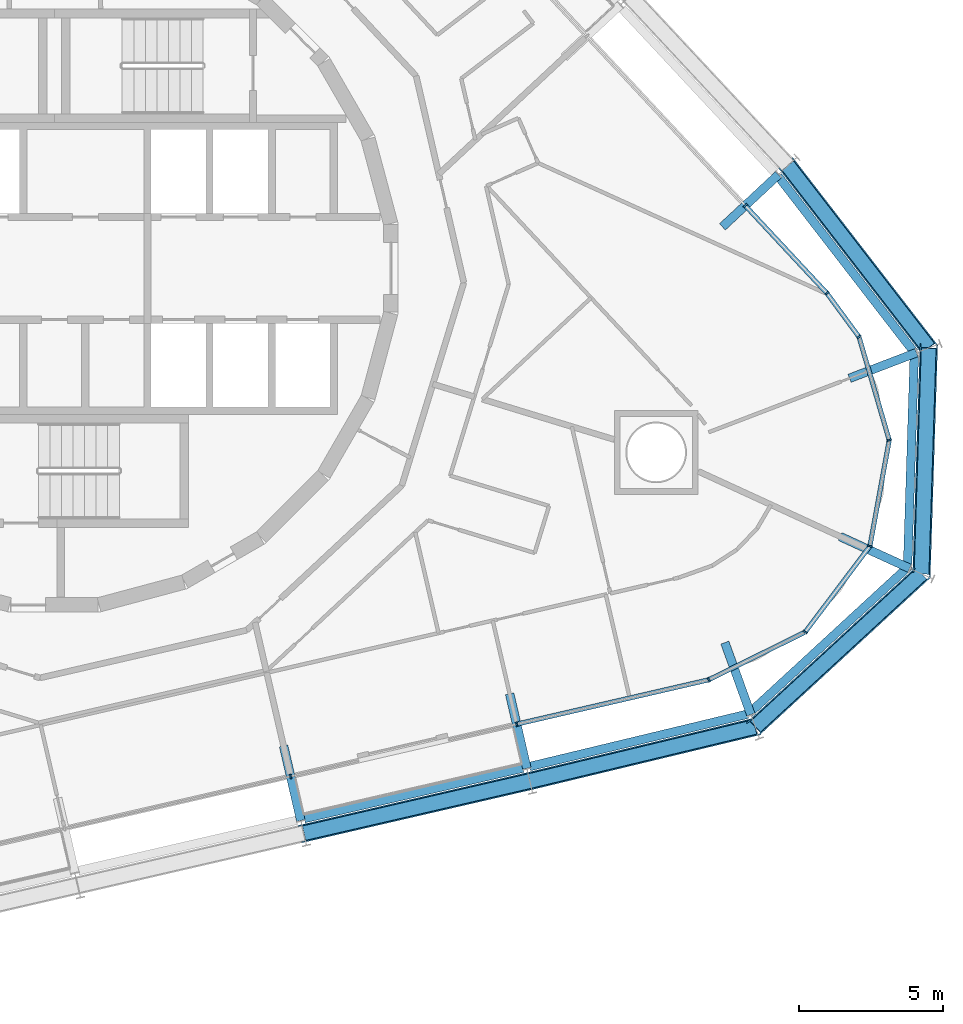
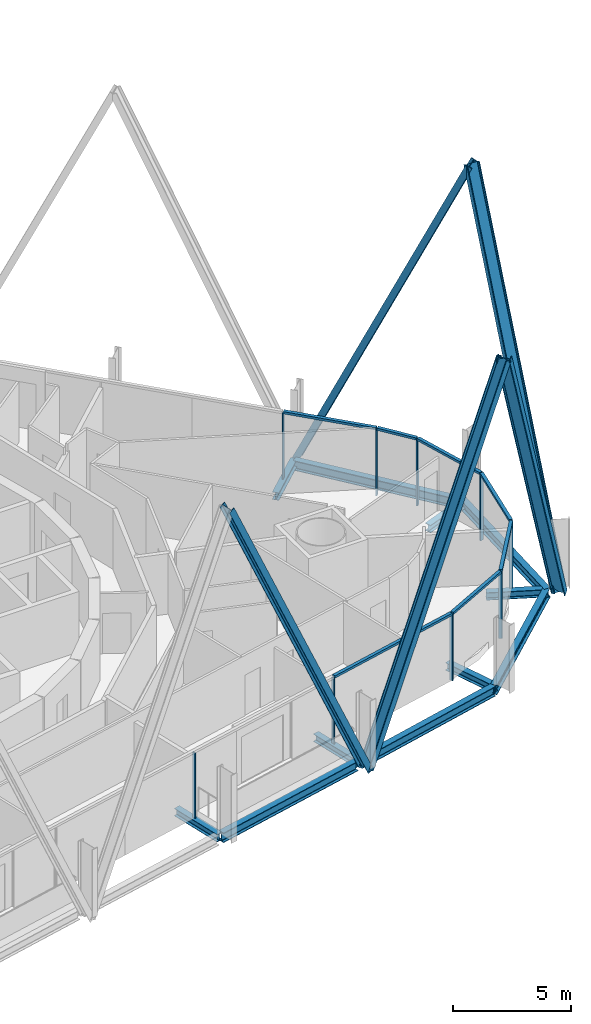
# One storey, part 6 of 18: 21 members, 11 beams, 3 elements without a shape of their own.
"""IFC4 building model written with IfcOpenShell, lengths in metres."""

from ifc_helpers import new_model, si_unit, direction, frame, origin, origin_2d, place, context, subcontext, project, spatial, rectangle, i_section, extrude, material, layer, layer_set, material_profile, profile_set, type_object, element, aggregate, save


model = new_model("IFC4")

# Units and contexts
model_context = context("Model", 3, precision=1e-05, world=origin(), true_north=direction((0.0, 1.0)))
body_context = subcontext(model_context, "Body", "Model", "MODEL_VIEW")
ifc_project = project(units=[si_unit("LENGTHUNIT", "METRE"), si_unit("AREAUNIT", "SQUARE_METRE"), si_unit("VOLUMEUNIT", "CUBIC_METRE"), si_unit("PLANEANGLEUNIT", "RADIAN"), si_unit("MASSUNIT", "GRAM", prefix="KILO")], contexts=[model_context])

# Site, building, storey
site_placement = place(None, origin())
site = spatial("IfcSite", under=ifc_project, at=site_placement, CompositionType="ELEMENT")
building_placement = place(site_placement, origin())
building = spatial("IfcBuilding", under=site, at=building_placement, Name="Spindle Arch Residences", CompositionType="ELEMENT")
storey_placement = place(building_placement, frame((0.0, 0.0, 127.39990234375)))
storey = spatial("IfcBuildingStorey", under=building, at=storey_placement, Name="L31", CompositionType="ELEMENT", Elevation=127.39990234375)

# Curtain wall, members
ifc_material_1 = material(Name="Aluminium bronze unitised frame with tinted glass", Category="aluminium")
ifc_layer_1 = layer(ifc_material_1, 0.159912109375)
ifc_layer_set_1 = layer_set([ifc_layer_1], Name="CW-D corner wall on the fillet arcs")
curtain_wall_type_1 = type_object("IfcCurtainWallType", Name="CW-D corner wall on the fillet arcs", PredefinedType="NOTDEFINED", material=ifc_layer_set_1)
curtain_wall_1_placement = place(storey_placement, origin())
curtain_wall_1 = element("IfcCurtainWall", 1, at=curtain_wall_1_placement, inside=storey, type_object=curtain_wall_type_1, Name="CW-D L31 run 1", PredefinedType="NOTDEFINED")
ifc_material_2 = material(Name="Aluminium bronze anodised mullion", Category="aluminium")
ifc_material_profile_1 = material_profile(ifc_material_2, rectangle(XDim=0.159912109375, YDim=0.06005859375, at=origin_2d()), Name="MU 60x160")
ifc_profile_set_1 = profile_set([ifc_material_profile_1], Name="Aluminium bronze anodised mullion")
member_type_1 = type_object("IfcMemberType", Name="Bronze mullion 60x160", PredefinedType="MULLION", material=ifc_profile_set_1)
member_1_placement = place(storey_placement, frame((16.002685546875, -15.775390625, -0.3798828125), z_axis=(0.0, 0.0, 1.0), x_axis=(-0.224951054344, 0.974370064785, 0.0)))
member_1 = element("IfcMember", 2, at=member_1_placement, type_object=member_type_1, Name="CW-D mullion 00", PredefinedType="MULLION", context=body_context, shape_type="SweptSolid", body=[
    extrude(rectangle(XDim=0.159912109375, YDim=0.06005859375, at=origin_2d()), origin(), (0.0, 0.0, 1.0), 3.3798828125),
])
member_2_placement = place(storey_placement, frame((22.647705078125, -14.2412109375, -0.3798828125), z_axis=(0.0, 0.0, 1.0), x_axis=(-0.443592675931, 0.896228507614, 0.0)))
member_2 = element("IfcMember", 3, at=member_2_placement, type_object=member_type_1, Name="CW-D mullion 01", PredefinedType="MULLION", context=body_context, shape_type="SweptSolid", body=[
    extrude(rectangle(XDim=0.159912109375, YDim=0.06005859375, at=origin_2d()), origin(), (0.0, 0.0, 1.0), 3.3798828125),
])
member_3_placement = place(storey_placement, frame((25.987548828125, -12.588134765625, -0.3798828125), z_axis=(0.0, 0.0, 1.0), x_axis=(-0.798635511056, 0.601815021814, 0.0)))
member_3 = element("IfcMember", 4, at=member_3_placement, type_object=member_type_1, Name="CW-D mullion 02", PredefinedType="MULLION", context=body_context, shape_type="SweptSolid", body=[
    extrude(rectangle(XDim=0.159912109375, YDim=0.06005859375, at=origin_2d()), origin(), (0.0, 0.0, 1.0), 3.3798828125),
])
member_4_placement = place(storey_placement, frame((28.23046875, -9.61181640625, -0.3798828125), z_axis=(0.0, 0.0, 1.0), x_axis=(-0.983780848179, 0.17937458782, 0.0)))
member_4 = element("IfcMember", 5, at=member_4_placement, type_object=member_type_1, Name="CW-D mullion 03", PredefinedType="MULLION", context=body_context, shape_type="SweptSolid", body=[
    extrude(rectangle(XDim=0.159912109375, YDim=0.06005859375, at=origin_2d()), origin(), (0.0, 0.0, 1.0), 3.3798828125),
])
member_5_placement = place(storey_placement, frame((28.89892578125, -5.945556640625, -0.3798828125), z_axis=(0.0, 0.0, 1.0), x_axis=(-0.959641844554, -0.281225052549, 0.0)))
member_5 = element("IfcMember", 6, at=member_5_placement, type_object=member_type_1, Name="CW-D mullion 04", PredefinedType="MULLION", context=body_context, shape_type="SweptSolid", body=[
    extrude(rectangle(XDim=0.159912109375, YDim=0.06005859375, at=origin_2d()), origin(), (0.0, 0.0, 1.0), 3.3798828125),
])
member_6_placement = place(storey_placement, frame((27.850830078125, -2.369140625, -0.3798828125), z_axis=(0.0, 0.0, 1.0), x_axis=(-0.805583724819, -0.592481951039, 0.0)))
member_6 = element("IfcMember", 7, at=member_6_placement, type_object=member_type_1, Name="CW-D mullion 05", PredefinedType="MULLION", context=body_context, shape_type="SweptSolid", body=[
    extrude(rectangle(XDim=0.159912109375, YDim=0.06005859375, at=origin_2d()), origin(), (0.0, 0.0, 1.0), 3.3798828125),
])
member_7_placement = place(storey_placement, frame((26.7392578125, -0.85791015625, -0.3798828125), z_axis=(0.0, 0.0, 1.0), x_axis=(-0.731353701619, -0.681998360062, 0.0)))
member_7 = element("IfcMember", 8, at=member_7_placement, type_object=member_type_1, Name="CW-D mullion 06", PredefinedType="MULLION", context=body_context, shape_type="SweptSolid", body=[
    extrude(rectangle(XDim=0.159912109375, YDim=0.06005859375, at=origin_2d()), origin(), (0.0, 0.0, 1.0), 3.3798828125),
])

# Curtain wall, member
ifc_material_3 = material(Name="Aluminium bronze unitised frame with tinted glass", Category="aluminium")
ifc_layer_2 = layer(ifc_material_3, 0.159912109375)
ifc_layer_set_2 = layer_set([ifc_layer_2], Name="CW-C typical residential unitised wall")
curtain_wall_type_2 = type_object("IfcCurtainWallType", Name="CW-C typical residential unitised wall", PredefinedType="NOTDEFINED", material=ifc_layer_set_2)
curtain_wall_2_placement = place(storey_placement, origin())
curtain_wall_2 = element("IfcCurtainWall", 9, at=curtain_wall_2_placement, inside=storey, type_object=curtain_wall_type_2, Name="CW-C L31 run 2", PredefinedType="NOTDEFINED")
member_8_placement = place(storey_placement, frame((23.91357421875, 2.172607421875, -0.3798828125), z_axis=(0.0, 0.0, 1.0), x_axis=(-0.731353701619, -0.681998360062, 0.0)))
member_8 = element("IfcMember", 10, at=member_8_placement, type_object=member_type_1, Name="CW-C mullion 05", PredefinedType="MULLION", context=body_context, shape_type="SweptSolid", body=[
    extrude(rectangle(XDim=0.159912109375, YDim=0.06005859375, at=origin_2d()), origin(), (0.0, 0.0, 1.0), 3.3798828125),
])
aggregate(curtain_wall_2, [member_8])

curtain_wall_3_placement = place(storey_placement, origin())
curtain_wall_3 = element("IfcCurtainWall", 11, at=curtain_wall_3_placement, inside=storey, type_object=curtain_wall_type_2, Name="CW-C L31 run 6", PredefinedType="NOTDEFINED")
member_9_placement = place(storey_placement, frame((8.17919921875, -17.58154296875, -0.3798828125), z_axis=(0.0, 0.0, 1.0), x_axis=(-0.224951054344, 0.974370064785, 0.0)))
member_9 = element("IfcMember", 12, at=member_9_placement, type_object=member_type_1, Name="CW-C mullion 00", PredefinedType="MULLION", context=body_context, shape_type="SweptSolid", body=[
    extrude(rectangle(XDim=0.159912109375, YDim=0.06005859375, at=origin_2d()), origin(), (0.0, 0.0, 1.0), 3.3798828125),
])
aggregate(curtain_wall_3, [member_9])

# Member
ifc_material_4 = material(Name="Aluminium bronze anodised transom", Category="aluminium")
ifc_material_profile_2 = material_profile(ifc_material_4, rectangle(XDim=0.159912109375, YDim=0.1201171875, at=origin_2d()), Name="TR 120x160")
ifc_profile_set_2 = profile_set([ifc_material_profile_2], Name="Aluminium bronze anodised transom")
member_type_2 = type_object("IfcMemberType", Name="Bronze transom 120x160", PredefinedType="USERDEFINED", material=ifc_profile_set_2)
member_10_placement = place(storey_placement, frame((16.03173828125, -15.7685546875, 3.06005859375), z_axis=(0.974374758263, 0.224930723691, 0.0), x_axis=(-0.224930723691, 0.974374758263, 0.0)))
member_10 = element("IfcMember", 13, at=member_10_placement, type_object=member_type_2, Name="CW-D transom 00", ObjectType="TRANSOM", PredefinedType="USERDEFINED", context=body_context, shape_type="SweptSolid", body=[
    extrude(rectangle(XDim=0.159912109375, YDim=0.1201171875, at=origin_2d()), origin(), (0.0, 0.0, 1.0), 6.760009765625),
])

member_11_placement = place(storey_placement, frame((22.674560546875, -14.22802734375, 3.06005859375), z_axis=(0.896204490037, 0.443641197408, 0.0), x_axis=(-0.443641197408, 0.896204490037, 0.0)))
member_11 = element("IfcMember", 14, at=member_11_placement, type_object=member_type_2, Name="CW-D transom 01", ObjectType="TRANSOM", PredefinedType="USERDEFINED", context=body_context, shape_type="SweptSolid", body=[
    extrude(rectangle(XDim=0.159912109375, YDim=0.1201171875, at=origin_2d()), origin(), (0.0, 0.0, 1.0), 3.666748046875),
])

member_12_placement = place(storey_placement, frame((26.005615234375, -12.564208984375, 3.06005859375), z_axis=(0.601820083797, 0.798631696553, 0.0), x_axis=(-0.798631696553, 0.601820083797, 0.0)))
member_12 = element("IfcMember", 15, at=member_12_placement, type_object=member_type_2, Name="CW-D transom 02", ObjectType="TRANSOM", PredefinedType="USERDEFINED", context=body_context, shape_type="SweptSolid", body=[
    extrude(rectangle(XDim=0.159912109375, YDim=0.1201171875, at=origin_2d()), origin(), (0.0, 0.0, 1.0), 3.666748046875),
])

member_13_placement = place(storey_placement, frame((28.23583984375, -9.582275390625, 3.06005859375), z_axis=(0.179377605594, 0.983780297938, 0.0), x_axis=(-0.983780297938, 0.179377605594, 0.0)))
member_13 = element("IfcMember", 16, at=member_13_placement, type_object=member_type_2, Name="CW-D transom 03", ObjectType="TRANSOM", PredefinedType="USERDEFINED", context=body_context, shape_type="SweptSolid", body=[
    extrude(rectangle(XDim=0.159912109375, YDim=0.1201171875, at=origin_2d()), origin(), (0.0, 0.0, 1.0), 3.666748046875),
])

member_14_placement = place(storey_placement, frame((28.890625, -5.916748046875, 3.06005859375), z_axis=(-0.281239778168, 0.959637529058, 0.0), x_axis=(-0.959637529058, -0.281239778168, 0.0)))
member_14 = element("IfcMember", 17, at=member_14_placement, type_object=member_type_2, Name="CW-D transom 04", ObjectType="TRANSOM", PredefinedType="USERDEFINED", context=body_context, shape_type="SweptSolid", body=[
    extrude(rectangle(XDim=0.159912109375, YDim=0.1201171875, at=origin_2d()), origin(), (0.0, 0.0, 1.0), 3.666748046875),
])

member_15_placement = place(storey_placement, frame((27.833251953125, -2.344970703125, 3.06005859375), z_axis=(-0.592575212526, 0.805515125557, 0.0), x_axis=(-0.805515125557, -0.592575212526, 0.0)))
member_15 = element("IfcMember", 18, at=member_15_placement, type_object=member_type_2, Name="CW-D transom 05", ObjectType="TRANSOM", PredefinedType="USERDEFINED", context=body_context, shape_type="SweptSolid", body=[
    extrude(rectangle(XDim=0.159912109375, YDim=0.1201171875, at=origin_2d()), origin(), (0.0, 0.0, 1.0), 1.816162109375),
])

member_16_placement = place(storey_placement, frame((26.718994140625, -0.8359375, 3.06005859375), z_axis=(-0.681983744213, 0.731367330846, 0.0), x_axis=(-0.731367330846, -0.681983744213, 0.0)))
member_16 = element("IfcMember", 19, at=member_16_placement, type_object=member_type_2, Name="CW-D transom 06", ObjectType="TRANSOM", PredefinedType="USERDEFINED", context=body_context, shape_type="SweptSolid", body=[
    extrude(rectangle(XDim=0.159912109375, YDim=0.1201171875, at=origin_2d()), origin(), (0.0, 0.0, 1.0), 4.08349609375),
])

aggregate(curtain_wall_1, [member_1, member_10, member_2, member_11, member_3, member_12, member_4, member_13, member_5, member_14, member_6, member_15, member_7, member_16])

# Members
ifc_material_5 = material(Name="Steel S460ML, intumescent coating R 240", Category="steel")
ifc_material_profile_3 = material_profile(ifc_material_5, i_section(OverallWidth=0.304931640625, OverallDepth=0.6201171875, WebThickness=0.02099609375, FlangeThickness=0.0400390625, FilletRadius=0.027099609375, at=origin_2d()), Name="HEM 600")
ifc_profile_set_3 = profile_set([ifc_material_profile_3], Name="Steel S460ML, intumescent coating R 240")
member_type_3 = type_object("IfcMemberType", Name="Diagrid diagonal HEM 600", PredefinedType="BRACE", material=ifc_profile_set_3)
member_17_placement = place(storey_placement, frame((16.45703125, -17.74365234375, -0.6298828125), z_axis=(-0.410726178799, -0.094821415845, 0.906814702763), x_axis=(0.883574135237, 0.203984442268, 0.421529470919)))
element("IfcMember", 20, at=member_17_placement, inside=storey, type_object=member_type_3, Name="Diagrid diagonal 3.2.1", PredefinedType="BRACE", context=body_context, shape_type="SweptSolid", body=[
    extrude(i_section(OverallWidth=0.304931640625, OverallDepth=0.6201171875, WebThickness=0.02099609375, FlangeThickness=0.0400390625, FilletRadius=0.027099609375, at=origin_2d()), origin(), (0.0, 0.0, 1.0), 19.0478515625),
])
member_18_placement = place(storey_placement, frame((16.45703125, -17.74365234375, -0.6298828125), z_axis=(0.409738643581, 0.098493140752, 0.906870081754), x_axis=(-0.881752777967, -0.211956089154, 0.42141031646)))
element("IfcMember", 21, at=member_18_placement, inside=storey, type_object=member_type_3, Name="Diagrid diagonal 3.2.2", PredefinedType="BRACE", context=body_context, shape_type="SweptSolid", body=[
    extrude(i_section(OverallWidth=0.304931640625, OverallDepth=0.6201171875, WebThickness=0.02099609375, FlangeThickness=0.0400390625, FilletRadius=0.027099609375, at=origin_2d()), origin(), (0.0, 0.0, 1.0), 19.046875),
])
member_19_placement = place(storey_placement, frame((30.013916015625, -10.5712890625, -0.6298828125), z_axis=(-0.30340397171, -0.279338189631, 0.910997368692), x_axis=(0.670203847059, 0.617043765993, 0.41241216548)))
element("IfcMember", 22, at=member_19_placement, inside=storey, type_object=member_type_3, Name="Diagrid diagonal 3.2.3", PredefinedType="BRACE", context=body_context, shape_type="SweptSolid", body=[
    extrude(i_section(OverallWidth=0.304931640625, OverallDepth=0.6201171875, WebThickness=0.02099609375, FlangeThickness=0.0400390625, FilletRadius=0.027099609375, at=origin_2d()), origin(), (0.0, 0.0, 1.0), 18.96044921875),
])
member_20_placement = place(storey_placement, frame((30.013916015625, -10.5712890625, -0.6298828125), z_axis=(0.01308242588, 0.412186550031, 0.911005542303), x_axis=(-0.028899933817, -0.910547028951, 0.412394109916)))
element("IfcMember", 23, at=member_20_placement, inside=storey, type_object=member_type_3, Name="Diagrid diagonal 3.2.4", PredefinedType="BRACE", context=body_context, shape_type="SweptSolid", body=[
    extrude(i_section(OverallWidth=0.304931640625, OverallDepth=0.6201171875, WebThickness=0.02099609375, FlangeThickness=0.0400390625, FilletRadius=0.027099609375, at=origin_2d()), origin(), (0.0, 0.0, 1.0), 18.960205078125),
])
member_21_placement = place(storey_placement, frame((25.390869140625, 3.550048828125, -0.6298828125), z_axis=(0.256072102823, -0.331512751399, 0.908034346165), x_axis=(-0.555083883803, 0.718615513163, 0.418895722327)))
element("IfcMember", 24, at=member_21_placement, inside=storey, type_object=member_type_3, Name="Diagrid diagonal 3.2.5", PredefinedType="BRACE", context=body_context, shape_type="SweptSolid", body=[
    extrude(i_section(OverallWidth=0.304931640625, OverallDepth=0.6201171875, WebThickness=0.02099609375, FlangeThickness=0.0400390625, FilletRadius=0.027099609375, at=origin_2d()), origin(), (0.0, 0.0, 1.0), 19.0224609375),
])

# Beams
ifc_material_6 = material(Name="Steel S460ML, intumescent coating R 120", Category="steel")
ifc_material_profile_4 = material_profile(ifc_material_6, i_section(OverallWidth=0.300048828125, OverallDepth=0.5, WebThickness=0.014404296875, FlangeThickness=0.028076171875, FilletRadius=0.027099609375, at=origin_2d()), Name="HEB 500")
ifc_profile_set_4 = profile_set([ifc_material_profile_4], Name="Steel S460ML, intumescent coating R 120")
beam_type_1 = type_object("IfcBeamType", Name="Exoskeleton edge beam HEB 500", PredefinedType="BEAM", material=ifc_profile_set_4)
beam_1_placement = place(storey_placement, frame((8.64990234375, -19.043212890625, -0.6298828125), z_axis=(0.974368417755, 0.224958188297, 0.0), x_axis=(-0.224958188297, 0.974368417755, 0.0)))
element("IfcBeam", 25, at=beam_1_placement, inside=storey, type_object=beam_type_1, Name="Exoskeleton edge beam 1", PredefinedType="BEAM", context=body_context, shape_type="SweptSolid", body=[
    extrude(i_section(OverallWidth=0.300048828125, OverallDepth=0.5, WebThickness=0.014404296875, FlangeThickness=0.028076171875, FilletRadius=0.027099609375, at=origin_2d()), origin(), (0.0, 0.0, 1.0), 7.76953125),
])
beam_2_placement = place(storey_placement, frame((16.44482421875, -17.243408203125, -0.6298828125), z_axis=(0.972297635128, 0.233746248579, 0.0), x_axis=(-0.233746248579, 0.972297635128, 0.0)))
element("IfcBeam", 26, at=beam_2_placement, inside=storey, type_object=beam_type_1, Name="Exoskeleton edge beam 2", PredefinedType="BEAM", context=body_context, shape_type="SweptSolid", body=[
    extrude(i_section(OverallWidth=0.300048828125, OverallDepth=0.5, WebThickness=0.014404296875, FlangeThickness=0.028076171875, FilletRadius=0.027099609375, at=origin_2d()), origin(), (0.0, 0.0, 1.0), 7.7666015625),
])
for number, where, z_axis, x_axis, name in (
    (27, (24.025146484375, -15.419189453125, -0.6298828125), (0.73568442847, 0.677324458223, 0.0), (-0.677324458223, 0.73568442847, 0.0), "Exoskeleton edge beam 3"),
    (28, (29.5283203125, -10.42578125, -0.6298828125), (0.031715707037, 0.999496930424, 0.0), (-0.999496930424, 0.031715707037, 0.0), "Exoskeleton edge beam 4"),
):
    element("IfcBeam", number, at=place(storey_placement, frame(where, z_axis=z_axis, x_axis=x_axis)), inside=storey, type_object=beam_type_1, Name=name, PredefinedType="BEAM", context=body_context, shape_type="SweptSolid", body=[
        extrude(i_section(OverallWidth=0.300048828125, OverallDepth=0.5, WebThickness=0.014404296875, FlangeThickness=0.028076171875, FilletRadius=0.027099609375, at=origin_2d()), origin(), (0.0, 0.0, 1.0), 7.559326171875),
    ])
beam_3_placement = place(storey_placement, frame((29.766845703125, -2.91259765625, -0.6298828125), z_axis=(-0.611305970043, 0.791394346069, 0.0), x_axis=(-0.791394346069, -0.611305970043, 0.0)))
element("IfcBeam", 29, at=beam_3_placement, inside=storey, type_object=beam_type_1, Name="Exoskeleton edge beam 5", PredefinedType="BEAM", context=body_context, shape_type="SweptSolid", body=[
    extrude(i_section(OverallWidth=0.300048828125, OverallDepth=0.5, WebThickness=0.014404296875, FlangeThickness=0.028076171875, FilletRadius=0.027099609375, at=origin_2d()), origin(), (0.0, 0.0, 1.0), 7.708251953125),
])
ifc_material_7 = material(Name="Steel S460ML, intumescent coating R 120", Category="steel")
ifc_material_profile_5 = material_profile(ifc_material_7, i_section(OverallWidth=0.300048828125, OverallDepth=0.389892578125, WebThickness=0.010986328125, FlangeThickness=0.01904296875, FilletRadius=0.027099609375, at=origin_2d()), Name="HEA 400")
ifc_profile_set_5 = profile_set([ifc_material_profile_5], Name="Steel S460ML, intumescent coating R 120")
beam_type_2 = type_object("IfcBeamType", Name="Floor outrigger HEA 400", PredefinedType="BEAM", material=ifc_profile_set_5)
for number, where, z_axis, x_axis, name in (
    (30, (8.532470703125, -19.111328125, -0.574951171875), (-0.224980619228, 0.974363238721, 0.0), (-0.974363238721, -0.224980619228, 0.0), "Floor outrigger 1"),
    (31, (16.355712890625, -17.30517578125, -0.574951171875), (-0.224893150114, 0.974383431218, 0.0), (-0.974383431218, -0.224893150114, 0.0), "Floor outrigger 2"),
):
    element("IfcBeam", number, at=place(storey_placement, frame(where, z_axis=z_axis, x_axis=x_axis)), inside=storey, type_object=beam_type_2, Name=name, PredefinedType="BEAM", context=body_context, shape_type="SweptSolid", body=[
        extrude(i_section(OverallWidth=0.300048828125, OverallDepth=0.389892578125, WebThickness=0.010986328125, FlangeThickness=0.01904296875, FilletRadius=0.027099609375, at=origin_2d()), origin(), (0.0, 0.0, 1.0), 2.64990234375),
    ])
beam_4_placement = place(storey_placement, frame((24.1083984375, -15.444580078125, -0.574951171875), z_axis=(-0.339759917159, 0.940512200183, 0.0), x_axis=(-0.940512200183, -0.339759917159, 0.0)))
element("IfcBeam", 32, at=beam_4_placement, inside=storey, type_object=beam_type_2, Name="Floor outrigger 3", PredefinedType="BEAM", context=body_context, shape_type="SweptSolid", body=[
    extrude(i_section(OverallWidth=0.300048828125, OverallDepth=0.389892578125, WebThickness=0.010986328125, FlangeThickness=0.01904296875, FilletRadius=0.027099609375, at=origin_2d()), origin(), (0.0, 0.0, 1.0), 2.650146484375),
])
beam_5_placement = place(storey_placement, frame((29.604736328125, -10.384033203125, -0.574951171875), z_axis=(-0.909319126007, 0.416099419703, 0.0), x_axis=(-0.416099419703, -0.909319126007, 0.0)))
element("IfcBeam", 33, at=beam_5_placement, inside=storey, type_object=beam_type_2, Name="Floor outrigger 4", PredefinedType="BEAM", context=body_context, shape_type="SweptSolid", body=[
    extrude(i_section(OverallWidth=0.300048828125, OverallDepth=0.389892578125, WebThickness=0.010986328125, FlangeThickness=0.01904296875, FilletRadius=0.027099609375, at=origin_2d()), origin(), (0.0, 0.0, 1.0), 2.649658203125),
])
beam_6_placement = place(storey_placement, frame((29.841796875, -2.9169921875, -0.574951171875), z_axis=(-0.933858846877, -0.35764179581, 0.0), x_axis=(0.35764179581, -0.933858846877, 0.0)))
element("IfcBeam", 34, at=beam_6_placement, inside=storey, type_object=beam_type_2, Name="Floor outrigger 5", PredefinedType="BEAM", context=body_context, shape_type="SweptSolid", body=[
    extrude(i_section(OverallWidth=0.300048828125, OverallDepth=0.389892578125, WebThickness=0.010986328125, FlangeThickness=0.01904296875, FilletRadius=0.027099609375, at=origin_2d()), origin(), (0.0, 0.0, 1.0), 2.484130859375),
])
beam_7_placement = place(storey_placement, frame((25.061767578125, 3.2431640625, -0.574951171875), z_axis=(-0.731321752584, -0.682032619599, 0.0), x_axis=(0.682032619599, -0.731321752584, 0.0)))
element("IfcBeam", 35, at=beam_7_placement, inside=storey, type_object=beam_type_2, Name="Floor outrigger 6", PredefinedType="BEAM", context=body_context, shape_type="SweptSolid", body=[
    extrude(i_section(OverallWidth=0.300048828125, OverallDepth=0.389892578125, WebThickness=0.010986328125, FlangeThickness=0.01904296875, FilletRadius=0.027099609375, at=origin_2d()), origin(), (0.0, 0.0, 1.0), 2.64990234375),
])

save(model, "model.ifc")
